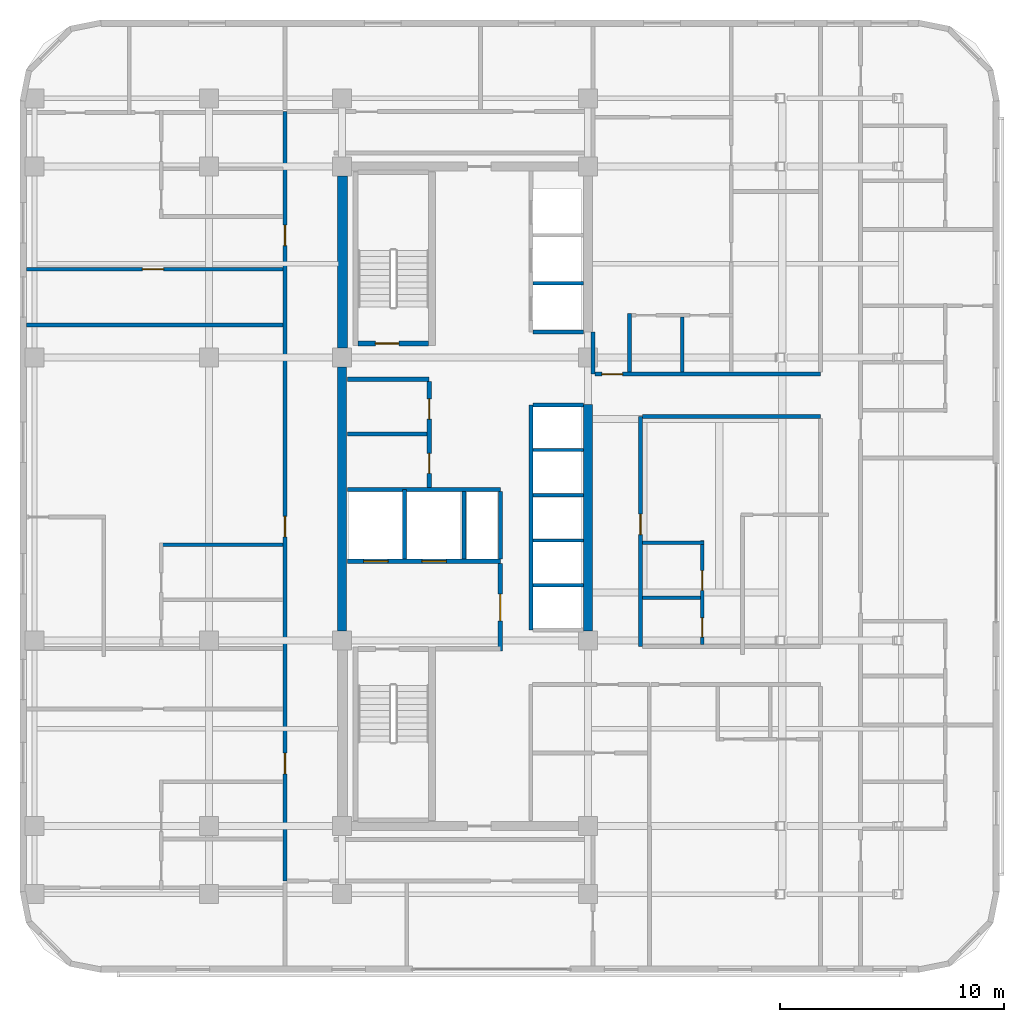
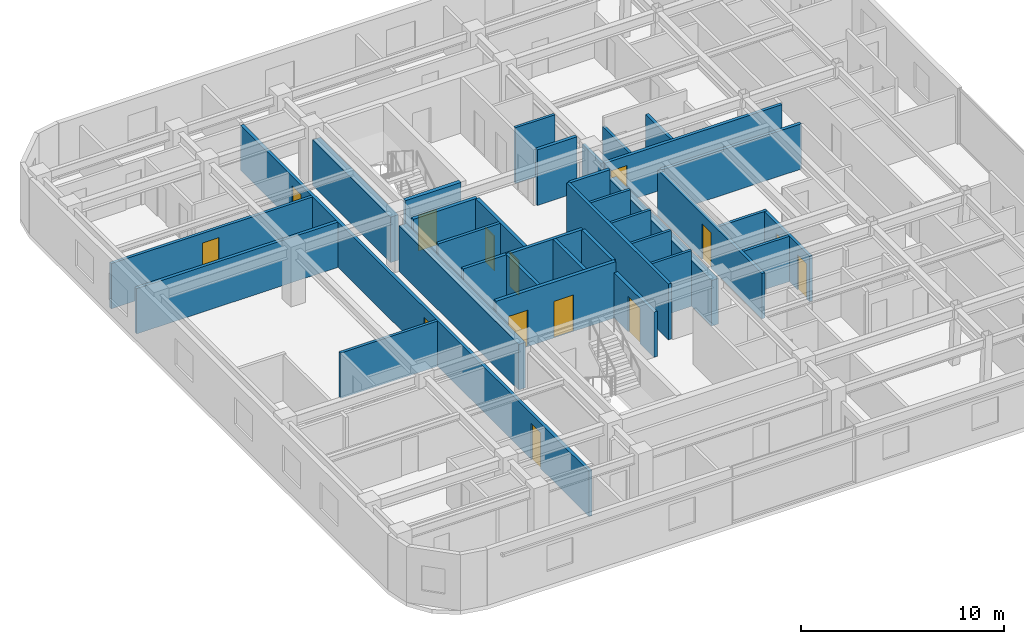
# One storey, part 7 of 14: 34 walls, 14 doors, 14 openings.
"""IFC4 building model written with IfcOpenShell, lengths in metres."""

from ifc_helpers import new_model, si_unit, direction, frame, frame_2d, origin, place, context, subcontext, project, spatial, rectangle, extrude, material, layer, layer_set, type_object, element, fill, save


model = new_model("IFC4")

# Units and contexts
model_context = context("Model", 3, precision=1e-05, world=origin(), true_north=direction((0.0, 1.0)))
body_context = subcontext(model_context, "Body", "Model", "MODEL_VIEW")
ifc_project = project(units=[si_unit("LENGTHUNIT", "METRE"), si_unit("AREAUNIT", "SQUARE_METRE"), si_unit("VOLUMEUNIT", "CUBIC_METRE"), si_unit("PLANEANGLEUNIT", "RADIAN"), si_unit("MASSUNIT", "GRAM", prefix="KILO")], contexts=[model_context])

# Site, building, storey
site_placement = place(None, origin())
site = spatial("IfcSite", under=ifc_project, at=site_placement, CompositionType="ELEMENT")
building_placement = place(site_placement, origin())
building = spatial("IfcBuilding", under=site, at=building_placement, Name="Ochreholt Gables", CompositionType="ELEMENT")
storey_placement = place(building_placement, frame((0.0, 0.0, 109.800048828125)))
storey = spatial("IfcBuildingStorey", under=building, at=storey_placement, Name="L28", CompositionType="ELEMENT", Elevation=109.800048828125)

# Walls
ifc_material_1 = material(Name="Concrete 60 MPa", Category="concrete")
ifc_layer_1 = layer(ifc_material_1, 0.39990234375, Name="Concrete 60 MPa")
ifc_layer_set_1 = layer_set([ifc_layer_1], Name="Concrete 60 MPa")
wall_type_1 = type_object("IfcWallType", Name="WALL-CSW-400", PredefinedType="SHEAR", material=ifc_layer_set_1)
wall_1_placement = place(storey_placement, frame((24.199951171875, 17.97509765625, 0.0), z_axis=(0.0, 0.0, 1.0), x_axis=(0.0, 1.0, 0.0)))
element("IfcWall", 1, at=wall_1_placement, inside=storey, type_object=wall_type_1, Name="L28 Core West Shear Wall WM", PredefinedType="SHEAR", context=body_context, shape_type="SweptSolid", body=[
    extrude(rectangle(XDim=11.7998046875, YDim=0.39990234375, at=frame_2d((5.89990234375, 0.0))), origin(), (0.0, 0.0, 1.0), 2.7490234375),
])
wall_2_placement = place(storey_placement, frame((35.199951171875, 17.97509765625, 0.0), z_axis=(0.0, 0.0, 1.0), x_axis=(0.0, 1.0, 0.0)))
element("IfcWall", 2, at=wall_2_placement, inside=storey, type_object=wall_type_1, Name="L28 Core Central-East Shear Wall", PredefinedType="SHEAR", context=body_context, shape_type="SweptSolid", body=[
    extrude(rectangle(XDim=10.125, YDim=0.39990234375, at=frame_2d((5.0625, 0.0))), origin(), (0.0, 0.0, 1.0), 2.7490234375),
])
ifc_layer_2 = layer(ifc_material_1, 0.449951171875, Name="Concrete 60 MPa")
ifc_layer_set_2 = layer_set([ifc_layer_2], Name="Concrete 60 MPa")
wall_type_2 = type_object("IfcWallType", Name="WALL-CSW-450", PredefinedType="SHEAR", material=ifc_layer_set_2)
wall_3_placement = place(storey_placement, frame((24.22509765625, 30.625, 0.0), z_axis=(0.0, 0.0, 1.0), x_axis=(0.0, 1.0, 0.0)))
element("IfcWall", 3, at=wall_3_placement, inside=storey, type_object=wall_type_2, Name="L28 Core West Shear Wall WN", PredefinedType="SHEAR", context=body_context, shape_type="SweptSolid", body=[
    extrude(rectangle(XDim=7.699951171875, YDim=0.449951171875, at=frame_2d((3.85009765625, 0.0))), origin(), (0.0, 0.0, 1.0), 2.7490234375),
])

# Wall, openings, doors
ifc_material_2 = material(Name="Concrete 40 MPa", Category="concrete")
ifc_layer_3 = layer(ifc_material_2, 0.199951171875, Name="Concrete 40 MPa")
ifc_layer_set_3 = layer_set([ifc_layer_3], Name="Concrete 40 MPa")
wall_type_3 = type_object("IfcWallType", Name="WALL-INT-CF200", PredefinedType="STANDARD", material=ifc_layer_set_3)
wall_4_placement = place(storey_placement, frame((24.449951171875, 21.090087890625, 0.0), z_axis=(0.0, 0.0, 1.0), x_axis=(1.0, 0.0, 0.0)))
wall_4 = element("IfcWall", 4, at=wall_4_placement, inside=storey, type_object=wall_type_3, Name="L28 Interior Wall WI-FFN-L28", PredefinedType="STANDARD", context=body_context, shape_type="SweptSolid", body=[
    extrude(rectangle(XDim=6.830078125, YDim=0.199951171875, at=frame_2d((3.4150390625, 0.0))), origin(), (0.0, 0.0, 1.0), 3.35986328125),
])
opening_1_placement = place(wall_4_placement, frame((0.719970703125, 0.0, 0.0)))
opening_1 = element("IfcOpeningElement", 5, at=opening_1_placement, cuts=wall_4, Name="Opening LD-FF", PredefinedType="OPENING", context=body_context, shape_type="SweptSolid", body=[
    extrude(rectangle(XDim=1.10009765625, YDim=2.199951171875, at=frame_2d((0.550048828125, 1.10009765625))), frame((0.0, 0.10986328125, 0.0), z_axis=(0.0, -1.0, 0.0), x_axis=(1.0, 0.0, 0.0)), (0.0, 0.0, 1.0), 0.219970703125),
])
opening_2_placement = place(wall_4_placement, frame((3.320068359375, 0.0, 0.0)))
opening_2 = element("IfcOpeningElement", 6, at=opening_2_placement, cuts=wall_4, Name="Opening LD-FF", PredefinedType="OPENING", context=body_context, shape_type="SweptSolid", body=[
    extrude(rectangle(XDim=1.10009765625, YDim=2.199951171875, at=frame_2d((0.550048828125, 1.10009765625))), frame((0.0, 0.10986328125, 0.0), z_axis=(0.0, -1.0, 0.0), x_axis=(1.0, 0.0, 0.0)), (0.0, 0.0, 1.0), 0.219970703125),
])
ifc_material_3 = material(Name="Stainless Steel", Category="steel")
door_type_1 = type_object("IfcDoorType", Name="DR-LFT-FF1100", OperationType="NOTDEFINED", PredefinedType="DOOR", material=ifc_material_3)
door_1_placement = place(opening_1_placement, origin())
door_1 = element("IfcDoor", 7, at=door_1_placement, inside=storey, type_object=door_type_1, Name="L28 Door LD-FF1-L28", OperationType="SLIDING_TO_LEFT", OverallHeight=2.199951171875, OverallWidth=1.10009765625, PredefinedType="DOOR", context=body_context, shape_type="SweptSolid", body=[
    extrude(rectangle(XDim=1.10009765625, YDim=2.199951171875, at=frame_2d((0.550048828125, 1.10009765625))), frame((0.0, 0.02490234375, 0.0), z_axis=(0.0, -1.0, 0.0), x_axis=(1.0, 0.0, 0.0)), (0.0, 0.0, 1.0), 0.050048828125),
])
fill(opening_1, door_1)
door_2_placement = place(opening_2_placement, origin())
door_2 = element("IfcDoor", 8, at=door_2_placement, inside=storey, type_object=door_type_1, Name="L28 Door LD-FF2-L28", OperationType="SLIDING_TO_LEFT", OverallHeight=2.199951171875, OverallWidth=1.10009765625, PredefinedType="DOOR", context=body_context, shape_type="SweptSolid", body=[
    extrude(rectangle(XDim=1.10009765625, YDim=2.199951171875, at=frame_2d((0.550048828125, 1.10009765625))), frame((0.0, 0.02490234375, 0.0), z_axis=(0.0, -1.0, 0.0), x_axis=(1.0, 0.0, 0.0)), (0.0, 0.0, 1.0), 0.050048828125),
])
fill(opening_2, door_2)

# Wall, opening, door
wall_5_placement = place(storey_placement, frame((31.280029296875, 17.070068359375, 0.0), z_axis=(0.0, 0.0, 1.0), x_axis=(0.0, 1.0, 0.0)))
wall_5 = element("IfcWall", 9, at=wall_5_placement, inside=storey, type_object=wall_type_3, Name="L28 Interior Wall WI-FFE-L28", PredefinedType="STANDARD", context=body_context, shape_type="SweptSolid", body=[
    extrude(rectangle(XDim=3.919921875, YDim=0.199951171875, at=frame_2d((1.9599609375, 0.0))), origin(), (0.0, 0.0, 1.0), 2.73095703125),
])
opening_3_placement = place(wall_5_placement, frame((1.35009765625, 0.0, 0.0)))
opening_3 = element("IfcOpeningElement", 10, at=opening_3_placement, cuts=wall_5, Name="Opening D-FFL", PredefinedType="OPENING", context=body_context, shape_type="SweptSolid", body=[
    extrude(rectangle(XDim=1.199951171875, YDim=2.14990234375, at=frame_2d((0.60009765625, 1.074951171875))), frame((0.0, 0.10986328125, 0.0), z_axis=(0.0, -1.0, 0.0), x_axis=(1.0, 0.0, 0.0)), (0.0, 0.0, 1.0), 0.219970703125),
])
ifc_material_4 = material(Name="Hollow Metal Steel", Category="steel")
door_type_2 = type_object("IfcDoorType", Name="DR-INT-FFL1200", OperationType="NOTDEFINED", PredefinedType="DOOR", material=ifc_material_4)
door_3_placement = place(opening_3_placement, origin())
door_3 = element("IfcDoor", 11, at=door_3_placement, inside=storey, type_object=door_type_2, Name="L28 Door D-FFL-L28", OperationType="SINGLE_SWING_LEFT", OverallHeight=2.14990234375, OverallWidth=1.199951171875, PredefinedType="DOOR", context=body_context, shape_type="SweptSolid", body=[
    extrude(rectangle(XDim=1.199951171875, YDim=2.14990234375, at=frame_2d((0.60009765625, 1.074951171875))), frame((0.0, 0.02490234375, 0.0), z_axis=(0.0, -1.0, 0.0), x_axis=(1.0, 0.0, 0.0)), (0.0, 0.0, 1.0), 0.050048828125),
])
fill(opening_3, door_3)

# Wall
wall_6_placement = place(storey_placement, frame((24.449951171875, 29.239990234375, 0.0), z_axis=(0.0, 0.0, 1.0), x_axis=(1.0, 0.0, 0.0)))
element("IfcWall", 12, at=wall_6_placement, inside=storey, type_object=wall_type_3, Name="L28 Interior Wall WI-SRVN-L28", PredefinedType="STANDARD", context=body_context, shape_type="SweptSolid", body=[
    extrude(rectangle(XDim=3.650146484375, YDim=0.199951171875, at=frame_2d((1.8251953125, 0.0))), origin(), (0.0, 0.0, 1.0), 3.35986328125),
])

# Wall, openings, doors
wall_7_placement = place(storey_placement, frame((28.10009765625, 24.389892578125, 0.0), z_axis=(0.0, 0.0, 1.0), x_axis=(0.0, 1.0, 0.0)))
wall_7 = element("IfcWall", 13, at=wall_7_placement, inside=storey, type_object=wall_type_3, Name="L28 Interior Wall WI-SRVE-L28", PredefinedType="STANDARD", context=body_context, shape_type="SweptSolid", body=[
    extrude(rectangle(XDim=4.75, YDim=0.199951171875, at=frame_2d((2.375, 0.0))), origin(), (0.0, 0.0, 1.0), 3.35986328125),
])
opening_4_placement = place(wall_7_placement, frame((0.6298828125, 0.0, 0.0)))
opening_4 = element("IfcOpeningElement", 14, at=opening_4_placement, cuts=wall_7, Name="Opening D-SV1", PredefinedType="OPENING", context=body_context, shape_type="SweptSolid", body=[
    extrude(rectangle(XDim=0.89990234375, YDim=2.10009765625, at=frame_2d((0.449951171875, 1.050048828125))), frame((0.0, 0.10986328125, 0.0), z_axis=(0.0, -1.0, 0.0), x_axis=(1.0, 0.0, 0.0)), (0.0, 0.0, 1.0), 0.219970703125),
])
opening_5_placement = place(wall_7_placement, frame((3.06005859375, 0.0, 0.0)))
opening_5 = element("IfcOpeningElement", 15, at=opening_5_placement, cuts=wall_7, Name="Opening D-SV1", PredefinedType="OPENING", context=body_context, shape_type="SweptSolid", body=[
    extrude(rectangle(XDim=0.89990234375, YDim=2.10009765625, at=frame_2d((0.449951171875, 1.050048828125))), frame((0.0, 0.10986328125, 0.0), z_axis=(0.0, -1.0, 0.0), x_axis=(1.0, 0.0, 0.0)), (0.0, 0.0, 1.0), 0.219970703125),
])
door_type_3 = type_object("IfcDoorType", Name="DR-INT-SRV900", OperationType="NOTDEFINED", PredefinedType="DOOR", material=ifc_material_4)
door_4_placement = place(opening_4_placement, origin())
door_4 = element("IfcDoor", 16, at=door_4_placement, inside=storey, type_object=door_type_3, Name="L28 Door D-SRV1-L28", OperationType="SINGLE_SWING_LEFT", OverallHeight=2.10009765625, OverallWidth=0.89990234375, PredefinedType="DOOR", context=body_context, shape_type="SweptSolid", body=[
    extrude(rectangle(XDim=0.89990234375, YDim=2.10009765625, at=frame_2d((0.449951171875, 1.050048828125))), frame((0.0, 0.02490234375, 0.0), z_axis=(0.0, -1.0, 0.0), x_axis=(1.0, 0.0, 0.0)), (0.0, 0.0, 1.0), 0.050048828125),
])
fill(opening_4, door_4)
door_5_placement = place(opening_5_placement, origin())
door_5 = element("IfcDoor", 17, at=door_5_placement, inside=storey, type_object=door_type_3, Name="L28 Door D-SRV2-L28", OperationType="SINGLE_SWING_RIGHT", OverallHeight=2.10009765625, OverallWidth=0.89990234375, PredefinedType="DOOR", context=body_context, shape_type="SweptSolid", body=[
    extrude(rectangle(XDim=0.89990234375, YDim=2.10009765625, at=frame_2d((0.449951171875, 1.050048828125))), frame((0.0, 0.02490234375, 0.0), z_axis=(0.0, -1.0, 0.0), x_axis=(1.0, 0.0, 0.0)), (0.0, 0.0, 1.0), 0.050048828125),
])
fill(opening_5, door_5)

# Wall, opening, door
ifc_material_5 = material(Name="Fire-Rated Gypsum Acoustic Partition", Category="gypsum")
ifc_layer_4 = layer(ifc_material_5, 0.179931640625, Name="Fire-Rated Gypsum Acoustic Partition")
ifc_layer_set_4 = layer_set([ifc_layer_4], Name="Fire-Rated Gypsum Acoustic Partition")
wall_type_4 = type_object("IfcWallType", Name="WALL-INT-CR180", PredefinedType="STANDARD", material=ifc_layer_set_4)
wall_8_placement = place(storey_placement, frame((37.550048828125, 17.280029296875, 0.0), z_axis=(0.0, 0.0, 1.0), x_axis=(0.0, 1.0, 0.0)))
wall_8 = element("IfcWall", 18, at=wall_8_placement, inside=storey, type_object=wall_type_4, Name="L28 Interior Wall WI-C2EM-L28", PredefinedType="STANDARD", context=body_context, shape_type="SweptSolid", body=[
    extrude(rectangle(XDim=10.280029296875, YDim=0.179931640625, at=frame_2d((5.14013671875, 0.0))), origin(), (0.0, 0.0, 1.0), 2.73095703125),
])
opening_6_placement = place(wall_8_placement, frame((5.0, 0.0, 0.0)))
opening_6 = element("IfcOpeningElement", 19, at=opening_6_placement, cuts=wall_8, Name="Opening D-UN1", PredefinedType="OPENING", context=body_context, shape_type="SweptSolid", body=[
    extrude(rectangle(XDim=0.919921875, YDim=2.14990234375, at=frame_2d((0.4599609375, 1.074951171875))), frame((0.0, 0.099853515625, 0.0), z_axis=(0.0, -1.0, 0.0), x_axis=(1.0, 0.0, 0.0)), (0.0, 0.0, 1.0), 0.199951171875),
])
ifc_material_6 = material(Name="Engineered Oak Timber", Category="wood")
door_type_4 = type_object("IfcDoorType", Name="DR-INT-UNT920", OperationType="NOTDEFINED", PredefinedType="DOOR", material=ifc_material_6)
door_6_placement = place(opening_6_placement, origin())
door_6 = element("IfcDoor", 20, at=door_6_placement, inside=storey, type_object=door_type_4, Name="L28 Door D-U-L28M1-ENT", OperationType="SINGLE_SWING_RIGHT", OverallHeight=2.14990234375, OverallWidth=0.919921875, PredefinedType="DOOR", context=body_context, shape_type="SweptSolid", body=[
    extrude(rectangle(XDim=0.919921875, YDim=2.14990234375, at=frame_2d((0.4599609375, 1.074951171875))), frame((0.0, 0.02490234375, 0.0), z_axis=(0.0, -1.0, 0.0), x_axis=(1.0, 0.0, 0.0)), (0.0, 0.0, 1.0), 0.050048828125),
])
fill(opening_6, door_6)

# Walls
wall_9_placement = place(storey_placement, frame((37.639892578125, 27.56005859375, 0.0), z_axis=(0.0, 0.0, 1.0), x_axis=(1.0, 0.0, 0.0)))
element("IfcWall", 21, at=wall_9_placement, inside=storey, type_object=wall_type_4, Name="L28 Interior Wall WI-C2SN1-L28", PredefinedType="STANDARD", context=body_context, shape_type="SweptSolid", body=[
    extrude(rectangle(XDim=7.960205078125, YDim=0.179931640625, at=frame_2d((3.97998046875, 0.0))), origin(), (0.0, 0.0, 1.0), 2.73095703125),
])
wall_10_placement = place(storey_placement, frame((35.419921875, 29.4599609375, 0.0), z_axis=(0.0, 0.0, 1.0), x_axis=(0.0, 1.0, 0.0)))
element("IfcWall", 22, at=wall_10_placement, inside=storey, type_object=wall_type_4, Name="L28 Interior Wall WI-C2NCL-L28", PredefinedType="STANDARD", context=body_context, shape_type="SweptSolid", body=[
    extrude(rectangle(XDim=1.89013671875, YDim=0.179931640625, at=frame_2d((0.945068359375, 0.0))), origin(), (0.0, 0.0, 1.0), 2.73095703125),
])

# Wall, opening, door
wall_11_placement = place(storey_placement, frame((35.510009765625, 29.4599609375, 0.0), z_axis=(0.0, 0.0, 1.0), x_axis=(1.0, 0.0, 0.0)))
wall_11 = element("IfcWall", 23, at=wall_11_placement, inside=storey, type_object=wall_type_4, Name="L28 Interior Wall WI-C2SN2-L28", PredefinedType="STANDARD", context=body_context, shape_type="SweptSolid", body=[
    extrude(rectangle(XDim=10.090087890625, YDim=0.179931640625, at=frame_2d((5.044921875, 0.0))), origin(), (0.0, 0.0, 1.0), 2.73095703125),
])
opening_7_placement = place(wall_11_placement, frame((0.320068359375, 0.0, 0.0)))
opening_7 = element("IfcOpeningElement", 24, at=opening_7_placement, cuts=wall_11, Name="Opening D-UN1", PredefinedType="OPENING", context=body_context, shape_type="SweptSolid", body=[
    extrude(rectangle(XDim=0.919921875, YDim=2.14990234375, at=frame_2d((0.4599609375, 1.074951171875))), frame((0.0, 0.099853515625, 0.0), z_axis=(0.0, -1.0, 0.0), x_axis=(1.0, 0.0, 0.0)), (0.0, 0.0, 1.0), 0.199951171875),
])
door_7_placement = place(opening_7_placement, origin())
door_7 = element("IfcDoor", 25, at=door_7_placement, inside=storey, type_object=door_type_4, Name="L28 Door D-U-L28N1-ENT", OperationType="SINGLE_SWING_LEFT", OverallHeight=2.14990234375, OverallWidth=0.919921875, PredefinedType="DOOR", context=body_context, shape_type="SweptSolid", body=[
    extrude(rectangle(XDim=0.919921875, YDim=2.14990234375, at=frame_2d((0.4599609375, 1.074951171875))), frame((0.0, 0.02490234375, 0.0), z_axis=(0.0, -1.0, 0.0), x_axis=(1.0, 0.0, 0.0)), (0.0, 0.0, 1.0), 0.050048828125),
])
fill(opening_7, door_7)

# Wall, openings, doors
wall_12_placement = place(storey_placement, frame((21.64990234375, 6.800048828125, 0.0), z_axis=(0.0, 0.0, 1.0), x_axis=(0.0, 1.0, 0.0)))
wall_12 = element("IfcWall", 26, at=wall_12_placement, inside=storey, type_object=wall_type_4, Name="L28 Interior Wall WI-C2WCW-L28", PredefinedType="STANDARD", context=body_context, shape_type="SweptSolid", body=[
    extrude(rectangle(XDim=34.39990234375, YDim=0.179931640625, at=frame_2d((17.199951171875, 0.0))), origin(), (0.0, 0.0, 1.0), 2.73095703125),
])
opening_8_placement = place(wall_12_placement, frame((4.785400390625, 0.0, 0.0)))
opening_8 = element("IfcOpeningElement", 27, at=opening_8_placement, cuts=wall_12, Name="Opening D-UN1", PredefinedType="OPENING", context=body_context, shape_type="SweptSolid", body=[
    extrude(rectangle(XDim=0.919921875, YDim=2.14990234375, at=frame_2d((0.4599609375, 1.074951171875))), frame((0.0, 0.099853515625, 0.0), z_axis=(0.0, -1.0, 0.0), x_axis=(1.0, 0.0, 0.0)), (0.0, 0.0, 1.0), 0.199951171875),
])
opening_9_placement = place(wall_12_placement, frame((15.384033203125, 0.0, 0.0)))
opening_9 = element("IfcOpeningElement", 28, at=opening_9_placement, cuts=wall_12, Name="Opening D-UN1", PredefinedType="OPENING", context=body_context, shape_type="SweptSolid", body=[
    extrude(rectangle(XDim=0.919921875, YDim=2.14990234375, at=frame_2d((0.4599609375, 1.074951171875))), frame((0.0, 0.099853515625, 0.0), z_axis=(0.0, -1.0, 0.0), x_axis=(1.0, 0.0, 0.0)), (0.0, 0.0, 1.0), 0.199951171875),
])
opening_10_placement = place(wall_12_placement, frame((28.409912109375, 0.0, 0.0)))
opening_10 = element("IfcOpeningElement", 29, at=opening_10_placement, cuts=wall_12, Name="Opening D-UN1", PredefinedType="OPENING", context=body_context, shape_type="SweptSolid", body=[
    extrude(rectangle(XDim=0.919921875, YDim=2.14990234375, at=frame_2d((0.4599609375, 1.074951171875))), frame((0.0, 0.099853515625, 0.0), z_axis=(0.0, -1.0, 0.0), x_axis=(1.0, 0.0, 0.0)), (0.0, 0.0, 1.0), 0.199951171875),
])
door_8_placement = place(opening_8_placement, origin())
door_8 = element("IfcDoor", 30, at=door_8_placement, inside=storey, type_object=door_type_4, Name="L28 Door D-U-L28W1-ENT", OperationType="SINGLE_SWING_LEFT", OverallHeight=2.14990234375, OverallWidth=0.919921875, PredefinedType="DOOR", context=body_context, shape_type="SweptSolid", body=[
    extrude(rectangle(XDim=0.919921875, YDim=2.14990234375, at=frame_2d((0.4599609375, 1.074951171875))), frame((0.0, 0.02490234375, 0.0), z_axis=(0.0, -1.0, 0.0), x_axis=(1.0, 0.0, 0.0)), (0.0, 0.0, 1.0), 0.050048828125),
])
fill(opening_8, door_8)
door_9_placement = place(opening_9_placement, origin())
door_9 = element("IfcDoor", 31, at=door_9_placement, inside=storey, type_object=door_type_4, Name="L28 Door D-U-L28W2-ENT", OperationType="SINGLE_SWING_RIGHT", OverallHeight=2.14990234375, OverallWidth=0.919921875, PredefinedType="DOOR", context=body_context, shape_type="SweptSolid", body=[
    extrude(rectangle(XDim=0.919921875, YDim=2.14990234375, at=frame_2d((0.4599609375, 1.074951171875))), frame((0.0, 0.02490234375, 0.0), z_axis=(0.0, -1.0, 0.0), x_axis=(1.0, 0.0, 0.0)), (0.0, 0.0, 1.0), 0.050048828125),
])
fill(opening_9, door_9)
door_10_placement = place(opening_10_placement, origin())
door_10 = element("IfcDoor", 32, at=door_10_placement, inside=storey, type_object=door_type_4, Name="L28 Door D-U-L28W3-ENT", OperationType="SINGLE_SWING_LEFT", OverallHeight=2.14990234375, OverallWidth=0.919921875, PredefinedType="DOOR", context=body_context, shape_type="SweptSolid", body=[
    extrude(rectangle(XDim=0.919921875, YDim=2.14990234375, at=frame_2d((0.4599609375, 1.074951171875))), frame((0.0, 0.02490234375, 0.0), z_axis=(0.0, -1.0, 0.0), x_axis=(1.0, 0.0, 0.0)), (0.0, 0.0, 1.0), 0.050048828125),
])
fill(opening_10, door_10)

# Walls
ifc_material_7 = material(Name="Double-Stud Acoustic Demising Wall", Category="gypsum")
ifc_layer_5 = layer(ifc_material_7, 0.179931640625, Name="Double-Stud Acoustic Demising Wall")
ifc_layer_set_5 = layer_set([ifc_layer_5], Name="Double-Stud Acoustic Demising Wall")
wall_type_5 = type_object("IfcWallType", Name="WALL-INT-DM180", PredefinedType="PARTITIONING", material=ifc_layer_set_5)
wall_13_placement = place(storey_placement, frame((10.080078125, 31.66796875, 0.0), z_axis=(0.0, 0.0, 1.0), x_axis=(1.0, 0.0, 0.0)))
element("IfcWall", 33, at=wall_13_placement, inside=storey, type_object=wall_type_5, Name="L28 Interior Wall WI-C2UDW3-L28", PredefinedType="PARTITIONING", context=body_context, shape_type="SweptSolid", body=[
    extrude(rectangle(XDim=11.47998046875, YDim=0.179931640625, at=frame_2d((5.739990234375, 0.0))), origin(), (0.0, 0.0, 1.0), 2.73095703125),
])
ifc_material_8 = material(Name="Moisture-Resistant Plumbing Chase Wall", Category="gypsum")
ifc_layer_6 = layer(ifc_material_8, 0.159912109375, Name="Moisture-Resistant Plumbing Chase Wall")
ifc_layer_set_6 = layer_set([ifc_layer_6], Name="Moisture-Resistant Plumbing Chase Wall")
wall_type_6 = type_object("IfcWallType", Name="WALL-INT-PL160", PredefinedType="PLUMBINGWALL", material=ifc_layer_set_6)
wall_14_placement = place(storey_placement, frame((37.06005859375, 29.550048828125, 0.0), z_axis=(0.0, 0.0, 1.0), x_axis=(0.0, 1.0, 0.0)))
element("IfcWall", 34, at=wall_14_placement, inside=storey, type_object=wall_type_6, Name="L28 Interior Wall WU-L28N1-FY", PredefinedType="PLUMBINGWALL", context=body_context, shape_type="SweptSolid", body=[
    extrude(rectangle(XDim=2.625, YDim=0.159912109375, at=frame_2d((1.3125, 0.0))), origin(), (0.0, 0.0, 1.0), 2.73095703125),
])
wall_15_placement = place(storey_placement, frame((39.426025390625, 29.550048828125, 0.0), z_axis=(0.0, 0.0, 1.0), x_axis=(0.0, 1.0, 0.0)))
element("IfcWall", 35, at=wall_15_placement, inside=storey, type_object=wall_type_6, Name="L28 Interior Wall WU-L28N1-WK", PredefinedType="PLUMBINGWALL", context=body_context, shape_type="SweptSolid", body=[
    extrude(rectangle(XDim=2.46484375, YDim=0.159912109375, at=frame_2d((1.232421875, 0.0))), origin(), (0.0, 0.0, 1.0), 2.73095703125),
])
wall_16_placement = place(storey_placement, frame((37.639892578125, 21.919921875, 0.0), z_axis=(0.0, 0.0, 1.0), x_axis=(1.0, 0.0, 0.0)))
element("IfcWall", 36, at=wall_16_placement, inside=storey, type_object=wall_type_6, Name="L28 Interior Wall WU-L28M1-WYN", PredefinedType="PLUMBINGWALL", context=body_context, shape_type="SweptSolid", body=[
    extrude(rectangle(XDim=2.758056640625, YDim=0.159912109375, at=frame_2d((1.37890625, 0.0))), origin(), (0.0, 0.0, 1.0), 2.73095703125),
])

# Wall, openings, doors
wall_17_placement = place(storey_placement, frame((40.318115234375, 17.3701171875, 0.0), z_axis=(0.0, 0.0, 1.0), x_axis=(0.0, 1.0, 0.0)))
wall_17 = element("IfcWall", 37, at=wall_17_placement, inside=storey, type_object=wall_type_6, Name="L28 Interior Wall WU-L28M1-WX", PredefinedType="PLUMBINGWALL", context=body_context, shape_type="SweptSolid", body=[
    extrude(rectangle(XDim=4.639892578125, YDim=0.159912109375, at=frame_2d((2.31982421875, 0.0))), origin(), (0.0, 0.0, 1.0), 2.73095703125),
])
opening_11_placement = place(wall_17_placement, frame((0.330078125, 0.0, 0.0)))
opening_11 = element("IfcOpeningElement", 38, at=opening_11_placement, cuts=wall_17, Name="Opening D-BT1", PredefinedType="OPENING", context=body_context, shape_type="SweptSolid", body=[
    extrude(rectangle(XDim=0.860107421875, YDim=2.1201171875, at=frame_2d((0.43017578125, 1.06005859375))), frame((0.0, 0.08984375, 0.0), z_axis=(0.0, -1.0, 0.0), x_axis=(1.0, 0.0, 0.0)), (0.0, 0.0, 1.0), 0.179931640625),
])
opening_12_placement = place(wall_17_placement, frame((2.423095703125, 0.0, 0.0)))
opening_12 = element("IfcOpeningElement", 39, at=opening_12_placement, cuts=wall_17, Name="Opening D-GN2", PredefinedType="OPENING", context=body_context, shape_type="SweptSolid", body=[
    extrude(rectangle(XDim=0.8798828125, YDim=2.1201171875, at=frame_2d((0.43994140625, 1.06005859375))), frame((0.0, 0.08984375, 0.0), z_axis=(0.0, -1.0, 0.0), x_axis=(1.0, 0.0, 0.0)), (0.0, 0.0, 1.0), 0.179931640625),
])
door_type_5 = type_object("IfcDoorType", Name="DR-INT-BTH860", OperationType="NOTDEFINED", PredefinedType="DOOR", material=ifc_material_6)
door_11_placement = place(opening_11_placement, origin())
door_11 = element("IfcDoor", 40, at=door_11_placement, inside=storey, type_object=door_type_5, Name="L28 Door D-U-L28M1-BTH", OperationType="SINGLE_SWING_LEFT", OverallHeight=2.1201171875, OverallWidth=0.860107421875, PredefinedType="DOOR", context=body_context, shape_type="SweptSolid", body=[
    extrude(rectangle(XDim=0.860107421875, YDim=2.1201171875, at=frame_2d((0.43017578125, 1.06005859375))), frame((0.0, 0.02490234375, 0.0), z_axis=(0.0, -1.0, 0.0), x_axis=(1.0, 0.0, 0.0)), (0.0, 0.0, 1.0), 0.050048828125),
])
fill(opening_11, door_11)
door_type_6 = type_object("IfcDoorType", Name="DR-INT-GEN880", OperationType="NOTDEFINED", PredefinedType="DOOR", material=ifc_material_6)
door_12_placement = place(opening_12_placement, origin())
door_12 = element("IfcDoor", 41, at=door_12_placement, inside=storey, type_object=door_type_6, Name="L28 Door D-U-L28M1-KIT", OperationType="SINGLE_SWING_RIGHT", OverallHeight=2.1201171875, OverallWidth=0.8798828125, PredefinedType="DOOR", context=body_context, shape_type="SweptSolid", body=[
    extrude(rectangle(XDim=0.8798828125, YDim=2.1201171875, at=frame_2d((0.43994140625, 1.06005859375))), frame((0.0, 0.02490234375, 0.0), z_axis=(0.0, -1.0, 0.0), x_axis=(1.0, 0.0, 0.0)), (0.0, 0.0, 1.0), 0.050048828125),
])
fill(opening_12, door_12)

# Walls
wall_18_placement = place(storey_placement, frame((37.639892578125, 19.462890625, 0.0), z_axis=(0.0, 0.0, 1.0), x_axis=(1.0, 0.0, 0.0)))
element("IfcWall", 42, at=wall_18_placement, inside=storey, type_object=wall_type_6, Name="L28 Interior Wall WU-L28M1-WM", PredefinedType="PLUMBINGWALL", context=body_context, shape_type="SweptSolid", body=[
    extrude(rectangle(XDim=2.59814453125, YDim=0.159912109375, at=frame_2d((1.299072265625, 0.0))), origin(), (0.0, 0.0, 1.0), 2.73095703125),
])
wall_19_placement = place(storey_placement, frame((16.030029296875, 21.823974609375, 0.0), z_axis=(0.0, 0.0, 1.0), x_axis=(1.0, 0.0, 0.0)))
element("IfcWall", 43, at=wall_19_placement, inside=storey, type_object=wall_type_6, Name="L28 Interior Wall WU-L28W2-WYN", PredefinedType="PLUMBINGWALL", context=body_context, shape_type="SweptSolid", body=[
    extrude(rectangle(XDim=5.530029296875, YDim=0.159912109375, at=frame_2d((2.76513671875, 0.0))), origin(), (0.0, 0.0, 1.0), 2.73095703125),
])
ifc_material_9 = material(Name="Gypsum Acoustic Stud Partition", Category="gypsum")
ifc_layer_7 = layer(ifc_material_9, 0.1650390625, Name="Gypsum Acoustic Stud Partition")
ifc_layer_set_7 = layer_set([ifc_layer_7], Name="Gypsum Acoustic Stud Partition")
wall_type_7 = type_object("IfcWallType", Name="WALL-INT-PT165", PredefinedType="PARTITIONING", material=ifc_layer_set_7)
wall_20_placement = place(storey_placement, frame((24.449951171875, 26.780029296875, 0.0), z_axis=(0.0, 0.0, 1.0), x_axis=(1.0, 0.0, 0.0)))
element("IfcWall", 44, at=wall_20_placement, inside=storey, type_object=wall_type_7, Name="L28 Interior Wall WI-SRVP1-L28", PredefinedType="PARTITIONING", context=body_context, shape_type="SweptSolid", body=[
    extrude(rectangle(XDim=3.550048828125, YDim=0.1650390625, at=frame_2d((1.77490234375, 0.0))), origin(), (0.0, 0.0, 1.0), 3.35986328125),
])

# Wall, opening, door
wall_21_placement = place(storey_placement, frame((10.080078125, 34.157958984375, 0.0), z_axis=(0.0, 0.0, 1.0), x_axis=(1.0, 0.0, 0.0)))
wall_21 = element("IfcWall", 45, at=wall_21_placement, inside=storey, type_object=wall_type_7, Name="L28 Interior Wall WU-L28W3-DNW", PredefinedType="PARTITIONING", context=body_context, shape_type="SweptSolid", body=[
    extrude(rectangle(XDim=11.47998046875, YDim=0.1650390625, at=frame_2d((5.739990234375, 0.0))), origin(), (0.0, 0.0, 1.0), 2.73095703125),
])
opening_13_placement = place(wall_21_placement, frame((5.195068359375, 0.0, 0.0)))
opening_13 = element("IfcOpeningElement", 46, at=opening_13_placement, cuts=wall_21, Name="Opening D-GN1", PredefinedType="OPENING", context=body_context, shape_type="SweptSolid", body=[
    extrude(rectangle(XDim=0.949951171875, YDim=2.14990234375, at=frame_2d((0.47509765625, 1.074951171875))), frame((0.0, 0.092529296875, 0.0), z_axis=(0.0, -1.0, 0.0), x_axis=(1.0, 0.0, 0.0)), (0.0, 0.0, 1.0), 0.18505859375),
])
door_type_7 = type_object("IfcDoorType", Name="DR-INT-GEN950", OperationType="NOTDEFINED", PredefinedType="DOOR", material=ifc_material_6)
door_13_placement = place(opening_13_placement, origin())
door_13 = element("IfcDoor", 47, at=door_13_placement, inside=storey, type_object=door_type_7, Name="L28 Door D-U-L28W3-DIN", OperationType="SINGLE_SWING_RIGHT", OverallHeight=2.14990234375, OverallWidth=0.949951171875, PredefinedType="DOOR", context=body_context, shape_type="SweptSolid", body=[
    extrude(rectangle(XDim=0.949951171875, YDim=2.14990234375, at=frame_2d((0.47509765625, 1.074951171875))), frame((0.0, 0.02490234375, 0.0), z_axis=(0.0, -1.0, 0.0), x_axis=(1.0, 0.0, 0.0)), (0.0, 0.0, 1.0), 0.050048828125),
])
fill(opening_13, door_13)

# Walls
ifc_material_10 = material(Name="Gypsum Shaftliner and Steel Stud", Category="steel")
ifc_layer_8 = layer(ifc_material_10, 0.14990234375, Name="Gypsum Shaftliner and Steel Stud")
ifc_layer_set_8 = layer_set([ifc_layer_8], Name="Gypsum Shaftliner and Steel Stud")
wall_type_8 = type_object("IfcWallType", Name="WALL-INT-SH150", PredefinedType="STANDARD", material=ifc_layer_set_8)
for number, where, z_axis, x_axis, name in (
    (48, (32.739990234375, 20.02001953125, 0.0), (0.0, 0.0, 1.0), (1.0, 0.0, 0.0), "L28 Interior Wall WI-LFHE-DH1-L28"),
    (49, (32.739990234375, 22.02001953125, 0.0), (0.0, 0.0, 1.0), (1.0, 0.0, 0.0), "L28 Interior Wall WI-LFHE-DH2-L28"),
    (50, (32.739990234375, 24.050048828125, 0.0), (0.0, 0.0, 1.0), (1.0, 0.0, 0.0), "L28 Interior Wall WI-LFHE-DHE-L28"),
    (51, (32.739990234375, 26.070068359375, 0.0), (0.0, 0.0, 1.0), (1.0, 0.0, 0.0), "L28 Interior Wall WI-LFHE-DEX1-L28"),
    (52, (32.739990234375, 33.52001953125, 0.0), (0.0, 0.0, 1.0), (1.0, 0.0, 0.0), "L28 Interior Wall WI-LFM-D1-L28"),
):
    element("IfcWall", number, at=place(storey_placement, frame(where, z_axis=z_axis, x_axis=x_axis)), inside=storey, type_object=wall_type_8, Name=name, PredefinedType="STANDARD", context=body_context, shape_type="SweptSolid", body=[
        extrude(rectangle(XDim=2.260009765625, YDim=0.14990234375, at=frame_2d((1.1298828125, 0.0))), origin(), (0.0, 0.0, 1.0), 3.35986328125),
    ])
ifc_layer_9 = layer(ifc_material_10, 0.179931640625, Name="Gypsum Shaftliner and Steel Stud")
ifc_layer_set_9 = layer_set([ifc_layer_9], Name="Gypsum Shaftliner and Steel Stud")
wall_type_9 = type_object("IfcWallType", Name="WALL-INT-SH180", PredefinedType="STANDARD", material=ifc_layer_set_9)
wall_22_placement = place(storey_placement, frame((27.0, 21.18994140625, 0.0), z_axis=(0.0, 0.0, 1.0), x_axis=(0.0, 1.0, 0.0)))
element("IfcWall", 53, at=wall_22_placement, inside=storey, type_object=wall_type_9, Name="L28 Interior Wall WI-FFDIV-L28", PredefinedType="STANDARD", context=body_context, shape_type="SweptSolid", body=[
    extrude(rectangle(XDim=3.110107421875, YDim=0.179931640625, at=frame_2d((1.55517578125, 0.0))), origin(), (0.0, 0.0, 1.0), 3.35986328125),
])
wall_23_placement = place(storey_placement, frame((24.449951171875, 24.300048828125, 0.0), z_axis=(0.0, 0.0, 1.0), x_axis=(1.0, 0.0, 0.0)))
element("IfcWall", 54, at=wall_23_placement, inside=storey, type_object=wall_type_9, Name="L28 Interior Wall WI-FFBK-L28", PredefinedType="STANDARD", context=body_context, shape_type="SweptSolid", body=[
    extrude(rectangle(XDim=6.830078125, YDim=0.179931640625, at=frame_2d((3.4150390625, 0.0))), origin(), (0.0, 0.0, 1.0), 3.35986328125),
])
for number, where, z_axis, x_axis, name in (
    (55, (29.64990234375, 21.18994140625, 0.0), (0.0, 0.0, 1.0), (0.0, 1.0, 0.0), "L28 Interior Wall WI-FFSH-L28"),
    (56, (31.280029296875, 21.18994140625, 0.0), (0.0, 0.0, 1.0), (0.0, 1.0, 0.0), "L28 Interior Wall WI-RSE-L28"),
):
    element("IfcWall", number, at=place(storey_placement, frame(where, z_axis=z_axis, x_axis=x_axis)), inside=storey, type_object=wall_type_9, Name=name, PredefinedType="STANDARD", context=body_context, shape_type="SweptSolid", body=[
        extrude(rectangle(XDim=3.02001953125, YDim=0.179931640625, at=frame_2d((1.510009765625, 0.0))), origin(), (0.0, 0.0, 1.0), 3.35986328125),
    ])
wall_24_placement = place(storey_placement, frame((32.64990234375, 18.02001953125, 0.0), z_axis=(0.0, 0.0, 1.0), x_axis=(0.0, 1.0, 0.0)))
element("IfcWall", 57, at=wall_24_placement, inside=storey, type_object=wall_type_9, Name="L28 Interior Wall WI-LFHE-FR-L28", PredefinedType="STANDARD", context=body_context, shape_type="SweptSolid", body=[
    extrude(rectangle(XDim=10.06005859375, YDim=0.179931640625, at=frame_2d((5.030029296875, 0.0))), origin(), (0.0, 0.0, 1.0), 3.35986328125),
])
for number, where, z_axis, x_axis, name in (
    (58, (32.739990234375, 28.080078125, 0.0), (0.0, 0.0, 1.0), (1.0, 0.0, 0.0), "L28 Interior Wall WI-LFHE-N-L28"),
    (59, (32.739990234375, 31.35009765625, 0.0), (0.0, 0.0, 1.0), (1.0, 0.0, 0.0), "L28 Interior Wall WI-LFM-S-L28"),
):
    element("IfcWall", number, at=place(storey_placement, frame(where, z_axis=z_axis, x_axis=x_axis)), inside=storey, type_object=wall_type_9, Name=name, PredefinedType="STANDARD", context=body_context, shape_type="SweptSolid", body=[
        extrude(rectangle(XDim=2.260009765625, YDim=0.179931640625, at=frame_2d((1.1298828125, 0.0))), origin(), (0.0, 0.0, 1.0), 3.35986328125),
    ])

# Wall, opening, door
ifc_material_11 = material(Name="Concrete 50 MPa", Category="concrete")
ifc_layer_10 = layer(ifc_material_11, 0.219970703125, Name="Concrete 50 MPa")
ifc_layer_set_10 = layer_set([ifc_layer_10], Name="Concrete 50 MPa")
wall_type_10 = type_object("IfcWallType", Name="WALL-STW-220", PredefinedType="SHEAR", material=ifc_layer_set_10)
wall_25_placement = place(storey_placement, frame((24.919921875, 30.830078125, 0.0), z_axis=(0.0, 0.0, 1.0), x_axis=(1.0, 0.0, 0.0)))
wall_25 = element("IfcWall", 60, at=wall_25_placement, inside=storey, type_object=wall_type_10, Name="L28 Exit Stair 2 South Wall", PredefinedType="SHEAR", context=body_context, shape_type="SweptSolid", body=[
    extrude(rectangle(XDim=3.16015625, YDim=0.219970703125, at=frame_2d((1.580078125, 0.0))), origin(), (0.0, 0.0, 1.0), 3.35986328125),
])
opening_14_placement = place(wall_25_placement, frame((0.780029296875, 0.0, 0.0)))
opening_14 = element("IfcOpeningElement", 61, at=opening_14_placement, cuts=wall_25, Name="Opening D-STC", PredefinedType="OPENING", context=body_context, shape_type="SweptSolid", body=[
    extrude(rectangle(XDim=1.050048828125, YDim=2.14990234375, at=frame_2d((0.52490234375, 1.074951171875))), frame((0.0, 0.119873046875, 0.0), z_axis=(0.0, -1.0, 0.0), x_axis=(1.0, 0.0, 0.0)), (0.0, 0.0, 1.0), 0.239990234375),
])
door_type_8 = type_object("IfcDoorType", Name="DR-INT-ST1050", OperationType="NOTDEFINED", PredefinedType="DOOR", material=ifc_material_4)
door_14_placement = place(opening_14_placement, origin())
door_14 = element("IfcDoor", 62, at=door_14_placement, inside=storey, type_object=door_type_8, Name="L28 Door D-ST2-L28", OperationType="SINGLE_SWING_RIGHT", OverallHeight=2.14990234375, OverallWidth=1.050048828125, PredefinedType="DOOR", context=body_context, shape_type="SweptSolid", body=[
    extrude(rectangle(XDim=1.050048828125, YDim=2.14990234375, at=frame_2d((0.52490234375, 1.074951171875))), frame((0.0, 0.02490234375, 0.0), z_axis=(0.0, -1.0, 0.0), x_axis=(1.0, 0.0, 0.0)), (0.0, 0.0, 1.0), 0.050048828125),
])
fill(opening_14, door_14)

save(model, "model.ifc")
